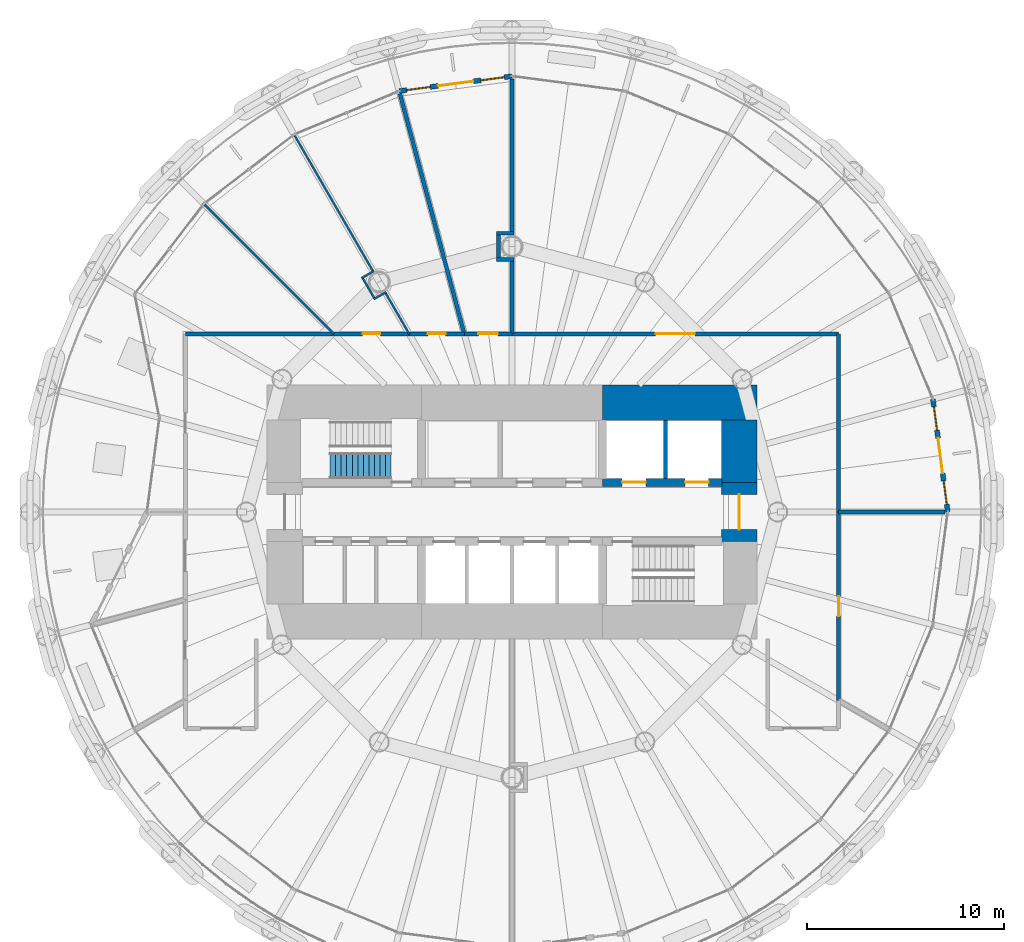
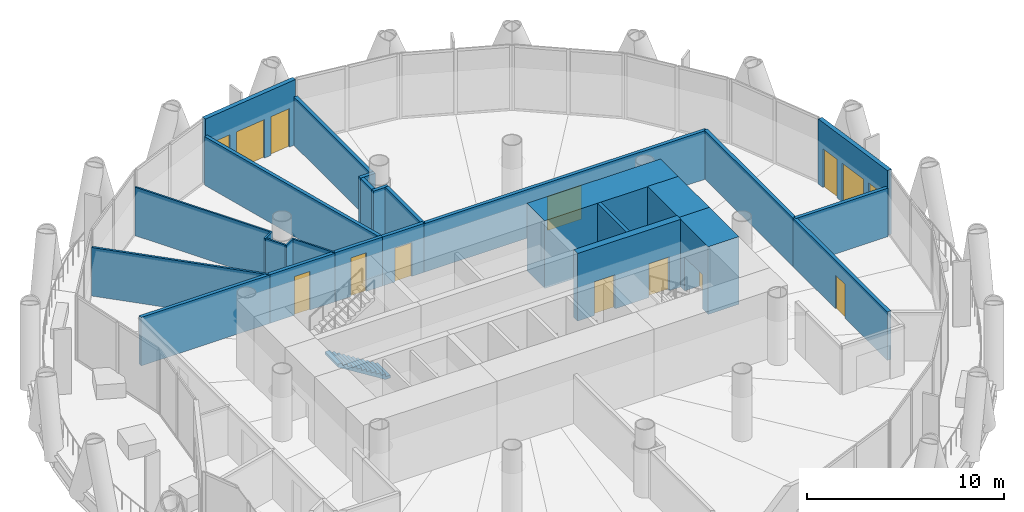
# One storey, part 11 of 16: 27 walls, 10 doors, 4 windows, 1 stair flight, 14 openings, 1 element without a shape of its own.
"""IFC4 building model written with IfcOpenShell, lengths in metres."""

from ifc_helpers import new_model, si_unit, direction, frame, frame_2d, origin, place, context, subcontext, project, spatial, polyline, rectangle, outline, extrude, material, layer, layer_set, type_object, element, fill, aggregate, save


model = new_model("IFC4")

# Units and contexts
model_context = context("Model", 3, precision=1e-05, world=origin(), true_north=direction((0.0, 1.0)))
body_context = subcontext(model_context, "Body", "Model", "MODEL_VIEW")
ifc_project = project(units=[si_unit("LENGTHUNIT", "METRE"), si_unit("AREAUNIT", "SQUARE_METRE"), si_unit("VOLUMEUNIT", "CUBIC_METRE"), si_unit("PLANEANGLEUNIT", "RADIAN"), si_unit("MASSUNIT", "GRAM", prefix="KILO")], contexts=[model_context])

# Site, building, storey
site_placement = place(None, origin())
site = spatial("IfcSite", under=ifc_project, at=site_placement, CompositionType="ELEMENT")
building_placement = place(site_placement, origin())
building = spatial("IfcBuilding", under=site, at=building_placement, Name="Qaws Media Tower", CompositionType="ELEMENT")
storey_placement = place(building_placement, frame((0.0, 0.0, 173.0)))
storey = spatial("IfcBuildingStorey", under=building, at=storey_placement, Name="L39", CompositionType="ELEMENT", Elevation=173.0)

# Wall, openings, door, windows
ifc_material_1 = material(Name="Precast concrete, exposed finish", Category="concrete")
ifc_layer_1 = layer(ifc_material_1, 0.25)
ifc_layer_set_1 = layer_set([ifc_layer_1], Name="Balcony door wall 250")
wall_type_1 = type_object("IfcWallType", Name="Balcony door wall 250", PredefinedType="SOLIDWALL", material=ifc_layer_set_1)
wall_1_placement = place(storey_placement, frame((82.14990234375, 50.0, 0.0), z_axis=(0.0, 0.0, 1.0), x_axis=(-0.130506937291, 0.991447396143, 0.0)))
wall_1 = element("IfcWall", 1, at=wall_1_placement, inside=storey, type_object=wall_type_1, Name="W217 EW1 balcony door wall L39-01", PredefinedType="SOLIDWALL", context=body_context, shape_type="SweptSolid", body=[
    extrude(rectangle(XDim=5.782470703125, YDim=0.25, at=frame_2d((2.89111328125, 0.0))), origin(), (0.0, 0.0, 1.0), 4.0400390625),
])
opening_1_placement = place(wall_1_placement, frame((1.9912109375, 0.0, 0.0)))
opening_1 = element("IfcOpeningElement", 2, at=opening_1_placement, cuts=wall_1, Name="Opening D7", PredefinedType="OPENING", context=body_context, shape_type="SweptSolid", body=[
    extrude(rectangle(XDim=1.800048828125, YDim=2.39990234375, at=frame_2d((0.89990234375, 1.199951171875))), frame((0.0, 0.135009765625, 0.0), z_axis=(0.0, -1.0, 0.0), x_axis=(1.0, 0.0, 0.0)), (0.0, 0.0, 1.0), 0.27001953125),
])
opening_2_placement = place(wall_1_placement, frame((0.39111328125, 0.0, 0.0)))
opening_2 = element("IfcOpeningElement", 3, at=opening_2_placement, cuts=wall_1, Name="Opening W1", PredefinedType="OPENING", context=body_context, shape_type="SweptSolid", body=[
    extrude(rectangle(XDim=1.199951171875, YDim=2.39990234375, at=frame_2d((0.60009765625, 1.199951171875))), frame((0.0, 0.135009765625, 0.0), z_axis=(0.0, -1.0, 0.0), x_axis=(1.0, 0.0, 0.0)), (0.0, 0.0, 1.0), 0.27001953125),
])
opening_3_placement = place(wall_1_placement, frame((4.191162109375, 0.0, 0.0)))
opening_3 = element("IfcOpeningElement", 4, at=opening_3_placement, cuts=wall_1, Name="Opening W1", PredefinedType="OPENING", context=body_context, shape_type="SweptSolid", body=[
    extrude(rectangle(XDim=1.199951171875, YDim=2.39990234375, at=frame_2d((0.60009765625, 1.199951171875))), frame((0.0, 0.135009765625, 0.0), z_axis=(0.0, -1.0, 0.0), x_axis=(1.0, 0.0, 0.0)), (0.0, 0.0, 1.0), 0.27001953125),
])
ifc_material_2 = material(Name="Aluminium and clear glass", Category="aluminium")
door_type_1 = type_object("IfcDoorType", Name="Balcony door pair 1800", OperationType="DOUBLE_DOOR_SLIDING", PredefinedType="DOOR", material=ifc_material_2)
door_1_placement = place(opening_1_placement, origin())
door_1 = element("IfcDoor", 5, at=door_1_placement, inside=storey, type_object=door_type_1, Name="D7 balcony door L39-01 in wall W217", OperationType="DOUBLE_DOOR_SLIDING", OverallHeight=2.39990234375, OverallWidth=1.800048828125, PredefinedType="DOOR", context=body_context, shape_type="SweptSolid", body=[
    extrude(rectangle(XDim=1.800048828125, YDim=2.39990234375, at=frame_2d((0.89990234375, 1.199951171875))), frame((0.0, 0.02490234375, 0.0), z_axis=(0.0, -1.0, 0.0), x_axis=(1.0, 0.0, 0.0)), (0.0, 0.0, 1.0), 0.050048828125),
])
fill(opening_1, door_1)
ifc_material_3 = material(Name="Aluminium and clear glass", Category="aluminium")
window_type = type_object("IfcWindowType", Name="Balcony side window 1200", PartitioningType="SINGLE_PANEL", PredefinedType="WINDOW", material=ifc_material_3)
window_1_placement = place(opening_2_placement, origin())
window_1 = element("IfcWindow", 6, at=window_1_placement, inside=storey, type_object=window_type, Name="W1 balcony side light L39-01L", OverallHeight=2.39990234375, OverallWidth=1.199951171875, PartitioningType="SINGLE_PANEL", PredefinedType="WINDOW", context=body_context, shape_type="SweptSolid", body=[
    extrude(rectangle(XDim=1.199951171875, YDim=2.39990234375, at=frame_2d((0.60009765625, 1.199951171875))), frame((0.0, 0.030029296875, 0.0), z_axis=(0.0, -1.0, 0.0), x_axis=(1.0, 0.0, 0.0)), (0.0, 0.0, 1.0), 0.06005859375),
])
fill(opening_2, window_1)
window_2_placement = place(opening_3_placement, origin())
window_2 = element("IfcWindow", 7, at=window_2_placement, inside=storey, type_object=window_type, Name="W1 balcony side light L39-01R", OverallHeight=2.39990234375, OverallWidth=1.199951171875, PartitioningType="SINGLE_PANEL", PredefinedType="WINDOW", context=body_context, shape_type="SweptSolid", body=[
    extrude(rectangle(XDim=1.199951171875, YDim=2.39990234375, at=frame_2d((0.60009765625, 1.199951171875))), frame((0.0, 0.030029296875, 0.0), z_axis=(0.0, -1.0, 0.0), x_axis=(1.0, 0.0, 0.0)), (0.0, 0.0, 1.0), 0.06005859375),
])
fill(opening_3, window_2)

wall_2_placement = place(storey_placement, frame((60.0, 72.14990234375, 0.0), z_axis=(0.0, 0.0, 1.0), x_axis=(-0.991447396143, -0.130506937291, 0.0)))
wall_2 = element("IfcWall", 8, at=wall_2_placement, inside=storey, type_object=wall_type_1, Name="W216 EW1 balcony door wall L39-07", PredefinedType="SOLIDWALL", context=body_context, shape_type="SweptSolid", body=[
    extrude(rectangle(XDim=5.782470703125, YDim=0.25, at=frame_2d((2.89111328125, 0.0))), origin(), (0.0, 0.0, 1.0), 4.0400390625),
])
opening_4_placement = place(wall_2_placement, frame((1.9912109375, 0.0, 0.0)))
opening_4 = element("IfcOpeningElement", 9, at=opening_4_placement, cuts=wall_2, Name="Opening D7", PredefinedType="OPENING", context=body_context, shape_type="SweptSolid", body=[
    extrude(rectangle(XDim=1.800048828125, YDim=2.39990234375, at=frame_2d((0.89990234375, 1.199951171875))), frame((0.0, 0.135009765625, 0.0), z_axis=(0.0, -1.0, 0.0), x_axis=(1.0, 0.0, 0.0)), (0.0, 0.0, 1.0), 0.27001953125),
])
opening_5_placement = place(wall_2_placement, frame((0.39111328125, 0.0, 0.0)))
opening_5 = element("IfcOpeningElement", 10, at=opening_5_placement, cuts=wall_2, Name="Opening W1", PredefinedType="OPENING", context=body_context, shape_type="SweptSolid", body=[
    extrude(rectangle(XDim=1.199951171875, YDim=2.39990234375, at=frame_2d((0.60009765625, 1.199951171875))), frame((0.0, 0.135009765625, 0.0), z_axis=(0.0, -1.0, 0.0), x_axis=(1.0, 0.0, 0.0)), (0.0, 0.0, 1.0), 0.27001953125),
])
opening_6_placement = place(wall_2_placement, frame((4.191162109375, 0.0, 0.0)))
opening_6 = element("IfcOpeningElement", 11, at=opening_6_placement, cuts=wall_2, Name="Opening W1", PredefinedType="OPENING", context=body_context, shape_type="SweptSolid", body=[
    extrude(rectangle(XDim=1.199951171875, YDim=2.39990234375, at=frame_2d((0.60009765625, 1.199951171875))), frame((0.0, 0.135009765625, 0.0), z_axis=(0.0, -1.0, 0.0), x_axis=(1.0, 0.0, 0.0)), (0.0, 0.0, 1.0), 0.27001953125),
])
door_2_placement = place(opening_4_placement, origin())
door_2 = element("IfcDoor", 12, at=door_2_placement, inside=storey, type_object=door_type_1, Name="D7 balcony door L39-07 in wall W216", OperationType="DOUBLE_DOOR_SLIDING", OverallHeight=2.39990234375, OverallWidth=1.800048828125, PredefinedType="DOOR", context=body_context, shape_type="SweptSolid", body=[
    extrude(rectangle(XDim=1.800048828125, YDim=2.39990234375, at=frame_2d((0.89990234375, 1.199951171875))), frame((0.0, 0.02490234375, 0.0), z_axis=(0.0, -1.0, 0.0), x_axis=(1.0, 0.0, 0.0)), (0.0, 0.0, 1.0), 0.050048828125),
])
fill(opening_4, door_2)
window_3_placement = place(opening_5_placement, origin())
window_3 = element("IfcWindow", 13, at=window_3_placement, inside=storey, type_object=window_type, Name="W1 balcony side light L39-07L", OverallHeight=2.39990234375, OverallWidth=1.199951171875, PartitioningType="SINGLE_PANEL", PredefinedType="WINDOW", context=body_context, shape_type="SweptSolid", body=[
    extrude(rectangle(XDim=1.199951171875, YDim=2.39990234375, at=frame_2d((0.60009765625, 1.199951171875))), frame((0.0, 0.030029296875, 0.0), z_axis=(0.0, -1.0, 0.0), x_axis=(1.0, 0.0, 0.0)), (0.0, 0.0, 1.0), 0.06005859375),
])
fill(opening_5, window_3)
window_4_placement = place(opening_6_placement, origin())
window_4 = element("IfcWindow", 14, at=window_4_placement, inside=storey, type_object=window_type, Name="W1 balcony side light L39-07R", OverallHeight=2.39990234375, OverallWidth=1.199951171875, PartitioningType="SINGLE_PANEL", PredefinedType="WINDOW", context=body_context, shape_type="SweptSolid", body=[
    extrude(rectangle(XDim=1.199951171875, YDim=2.39990234375, at=frame_2d((0.60009765625, 1.199951171875))), frame((0.0, 0.030029296875, 0.0), z_axis=(0.0, -1.0, 0.0), x_axis=(1.0, 0.0, 0.0)), (0.0, 0.0, 1.0), 0.06005859375),
])
fill(opening_6, window_4)

# Wall, openings, doors
ifc_material_4 = material(Name="Concrete C60/75", Category="concrete")
ifc_layer_2 = layer(ifc_material_4, 0.39990234375)
ifc_layer_set_2 = layer_set([ifc_layer_2], Name="Core inner wall 400")
wall_type_2 = type_object("IfcWallType", Name="Core inner wall 400", PredefinedType="SHEAR", material=ifc_layer_set_2)
wall_3_placement = place(storey_placement, frame((64.60009765625, 51.5, 0.0), z_axis=(0.0, 0.0, 1.0), x_axis=(1.0, 0.0, 0.0)))
wall_3 = element("IfcWall", 15, at=wall_3_placement, inside=storey, type_object=wall_type_2, Name="W326 SW4 core wall SPNE L39", PredefinedType="SHEAR", context=body_context, shape_type="SweptSolid", body=[
    extrude(rectangle(XDim=6.06982421875, YDim=0.39990234375, at=frame_2d((3.034912109375, 0.0))), origin(), (0.0, 0.0, 1.0), 4.199951171875),
])
opening_7_placement = place(wall_3_placement, frame((1.0, 0.0, 0.0)))
opening_7 = element("IfcOpeningElement", 16, at=opening_7_placement, cuts=wall_3, Name="Opening LD2", PredefinedType="OPENING", context=body_context, shape_type="SweptSolid", body=[
    extrude(rectangle(XDim=1.199951171875, YDim=2.10009765625, at=frame_2d((0.60009765625, 1.050048828125))), frame((0.0, 0.2099609375, 0.0), z_axis=(0.0, -1.0, 0.0), x_axis=(1.0, 0.0, 0.0)), (0.0, 0.0, 1.0), 0.419921875),
])
opening_8_placement = place(wall_3_placement, frame((4.199951171875, 0.0, 0.0)))
opening_8 = element("IfcOpeningElement", 17, at=opening_8_placement, cuts=wall_3, Name="Opening LD2", PredefinedType="OPENING", context=body_context, shape_type="SweptSolid", body=[
    extrude(rectangle(XDim=1.199951171875, YDim=2.10009765625, at=frame_2d((0.60009765625, 1.050048828125))), frame((0.0, 0.2099609375, 0.0), z_axis=(0.0, -1.0, 0.0), x_axis=(1.0, 0.0, 0.0)), (0.0, 0.0, 1.0), 0.419921875),
])
ifc_material_5 = material(Name="Steel, fire rated", Category="steel")
door_type_2 = type_object("IfcDoorType", Name="Lift landing door 1200", OperationType="SLIDING_TO_LEFT", PredefinedType="DOOR", material=ifc_material_5)
door_3_placement = place(opening_7_placement, origin())
door_3 = element("IfcDoor", 18, at=door_3_placement, inside=storey, type_object=door_type_2, Name="FL1 landing door L39 in wall W326", OperationType="SLIDING_TO_LEFT", OverallHeight=2.10009765625, OverallWidth=1.199951171875, PredefinedType="DOOR", context=body_context, shape_type="SweptSolid", body=[
    extrude(rectangle(XDim=1.199951171875, YDim=2.10009765625, at=frame_2d((0.60009765625, 1.050048828125))), frame((0.0, 0.02490234375, 0.0), z_axis=(0.0, -1.0, 0.0), x_axis=(1.0, 0.0, 0.0)), (0.0, 0.0, 1.0), 0.050048828125),
])
fill(opening_7, door_3)
door_4_placement = place(opening_8_placement, origin())
door_4 = element("IfcDoor", 19, at=door_4_placement, inside=storey, type_object=door_type_2, Name="FL2 landing door L39 in wall W326", OperationType="SLIDING_TO_LEFT", OverallHeight=2.10009765625, OverallWidth=1.199951171875, PredefinedType="DOOR", context=body_context, shape_type="SweptSolid", body=[
    extrude(rectangle(XDim=1.199951171875, YDim=2.10009765625, at=frame_2d((0.60009765625, 1.050048828125))), frame((0.0, 0.02490234375, 0.0), z_axis=(0.0, -1.0, 0.0), x_axis=(1.0, 0.0, 0.0)), (0.0, 0.0, 1.0), 0.050048828125),
])
fill(opening_8, door_4)

# Wall
ifc_material_6 = material(Name="Concrete C60/75", Category="concrete")
ifc_layer_3 = layer(ifc_material_6, 1.800048828125)
ifc_layer_set_3 = layer_set([ifc_layer_3], Name="Core wall 1800")
wall_type_3 = type_object("IfcWallType", Name="Core wall 1800", PredefinedType="SHEAR", material=ifc_layer_set_3)
wall_4_placement = place(storey_placement, frame((64.60009765625, 55.550048828125, 0.0), z_axis=(0.0, 0.0, 1.0), x_axis=(1.0, 0.0, 0.0)))
element("IfcWall", 20, at=wall_4_placement, inside=storey, type_object=wall_type_3, Name="W423 SW11 core wall NE L39", PredefinedType="SHEAR", context=body_context, shape_type="SweptSolid", body=[
    extrude(rectangle(XDim=7.849853515625, YDim=1.800048828125, at=frame_2d((3.9248046875, 0.0))), origin(), (0.0, 0.0, 1.0), 4.199951171875),
])

# Wall, opening, door
wall_5_placement = place(storey_placement, frame((71.550048828125, 48.5, 0.0), z_axis=(0.0, 0.0, 1.0), x_axis=(0.0, 1.0, 0.0)))
wall_5 = element("IfcWall", 21, at=wall_5_placement, inside=storey, type_object=wall_type_3, Name="W427 SW11 core wall E L39", PredefinedType="SHEAR", context=body_context, shape_type="SweptSolid", body=[
    extrude(rectangle(XDim=3.0, YDim=1.800048828125, at=frame_2d((1.5, 0.0))), origin(), (0.0, 0.0, 1.0), 4.199951171875),
])
opening_9_placement = place(wall_5_placement, frame((0.60009765625, 0.0, 0.0)))
opening_9 = element("IfcOpeningElement", 22, at=opening_9_placement, cuts=wall_5, Name="Opening D2", PredefinedType="OPENING", context=body_context, shape_type="SweptSolid", body=[
    extrude(rectangle(XDim=1.800048828125, YDim=2.10009765625, at=frame_2d((0.89990234375, 1.050048828125))), frame((0.0, 0.909912109375, 0.0), z_axis=(0.0, -1.0, 0.0), x_axis=(1.0, 0.0, 0.0)), (0.0, 0.0, 1.0), 1.820068359375),
])
ifc_material_7 = material(Name="Steel and glass, fire rated", Category="steel")
door_type_3 = type_object("IfcDoorType", Name="Lobby door pair 1800 FD60", OperationType="DOUBLE_DOOR_DOUBLE_SWING", PredefinedType="DOOR", material=ifc_material_7)
door_5_placement = place(opening_9_placement, origin())
door_5 = element("IfcDoor", 23, at=door_5_placement, inside=storey, type_object=door_type_3, Name="D2 core lobby door E L39 in wall W427", OperationType="DOUBLE_DOOR_DOUBLE_SWING", OverallHeight=2.10009765625, OverallWidth=1.800048828125, PredefinedType="DOOR", context=body_context, shape_type="SweptSolid", body=[
    extrude(rectangle(XDim=1.800048828125, YDim=2.10009765625, at=frame_2d((0.89990234375, 1.050048828125))), frame((0.0, 0.02490234375, 0.0), z_axis=(0.0, -1.0, 0.0), x_axis=(1.0, 0.0, 0.0)), (0.0, 0.0, 1.0), 0.050048828125),
])
fill(opening_9, door_5)

# Walls
wall_6_placement = place(storey_placement, frame((71.550048828125, 51.5, 0.0), z_axis=(0.0, 0.0, 1.0), x_axis=(0.0, 1.0, 0.0)))
element("IfcWall", 24, at=wall_6_placement, inside=storey, type_object=wall_type_3, Name="W425 SW11 core wall EN L39", PredefinedType="SHEAR", context=body_context, shape_type="SweptSolid", body=[
    extrude(rectangle(XDim=3.169921875, YDim=1.800048828125, at=frame_2d((1.5849609375, 0.0))), origin(), (0.0, 0.0, 1.0), 4.199951171875),
])
ifc_material_8 = material(Name="Two layers gypsum board each side on 75 studs, insulated", Category="gypsum")
ifc_layer_4 = layer(ifc_material_8, 0.125)
ifc_layer_set_4 = layer_set([ifc_layer_4], Name="Meeting room partition 125 Rw 48")
wall_type_4 = type_object("IfcWallType", Name="Meeting room partition 125 Rw 48", PredefinedType="PARTITIONING", material=ifc_layer_set_4)
wall_7_placement = place(storey_placement, frame((50.948974609375, 59.051025390625, 0.0), z_axis=(0.0, 0.0, 1.0), x_axis=(-0.707106781187, 0.707106781187, 0.0)))
element("IfcWall", 25, at=wall_7_placement, inside=storey, type_object=wall_type_4, Name="W585 IW5 partition L39", PredefinedType="PARTITIONING", context=body_context, shape_type="SweptSolid", body=[
    extrude(rectangle(XDim=9.309814453125, YDim=0.125, at=frame_2d((4.65478515625, 0.0))), origin(), (0.0, 0.0, 1.0), 3.011962890625),
])
ifc_material_9 = material(Name="Gypsum board on 70 metal studs, single layer each side", Category="gypsum")
ifc_layer_5 = layer(ifc_material_9, 0.10009765625)
ifc_layer_set_5 = layer_set([ifc_layer_5], Name="Office stud partition 100")
wall_type_5 = type_object("IfcWallType", Name="Office stud partition 100", PredefinedType="PARTITIONING", material=ifc_layer_set_5)
for number, where, z_axis, x_axis, name in (
    (26, (53.602294921875, 61.18115234375, 0.0), (0.0, 0.0, 1.0), (-0.866068339032, -0.499925626596, 0.0), "W686 IW4 partition return L39"),
    (27, (52.984375, 62.25146484375, 0.0), (0.0, 0.0, 1.0), (-0.866068339032, -0.499925626596, 0.0), "W684 IW4 partition return L39"),
):
    element("IfcWall", number, at=place(storey_placement, frame(where, z_axis=z_axis, x_axis=x_axis)), inside=storey, type_object=wall_type_5, Name=name, PredefinedType="PARTITIONING", context=body_context, shape_type="SweptSolid", body=[
        extrude(rectangle(XDim=0.72802734375, YDim=0.10009765625, at=frame_2d((0.364013671875, 0.0))), origin(), (0.0, 0.0, 1.0), 3.011962890625),
    ])
wall_8_placement = place(storey_placement, frame((52.989990234375, 60.885498046875, 0.0), z_axis=(0.0, 0.0, 1.0), x_axis=(-0.499976747263, 0.866038828342, 0.0)))
element("IfcWall", 28, at=wall_8_placement, inside=storey, type_object=wall_type_5, Name="W685 IW4 partition return L39", PredefinedType="PARTITIONING", context=body_context, shape_type="SweptSolid", body=[
    extrude(rectangle(XDim=1.1357421875, YDim=0.10009765625, at=frame_2d((0.56787109375, 0.0))), origin(), (0.0, 0.0, 1.0), 3.011962890625),
])
wall_9_placement = place(storey_placement, frame((54.780029296875, 59.041259765625, 0.0), z_axis=(0.0, 0.0, 1.0), x_axis=(-0.500014005679, 0.866017317451, 0.0)))
element("IfcWall", 29, at=wall_9_placement, inside=storey, type_object=wall_type_5, Name="W674 IW4 partition L39", PredefinedType="PARTITIONING", context=body_context, shape_type="SweptSolid", body=[
    extrude(rectangle(XDim=2.39208984375, YDim=0.10009765625, at=frame_2d((1.196044921875, 0.0))), origin(), (0.0, 0.0, 1.0), 3.0400390625),
])
wall_10_placement = place(storey_placement, frame((52.916015625, 62.269775390625, 0.0), z_axis=(0.0, 0.0, 1.0), x_axis=(-0.499997422768, 0.866026891745, 0.0)))
element("IfcWall", 30, at=wall_10_placement, inside=storey, type_object=wall_type_5, Name="W683 IW4 partition L39", PredefinedType="PARTITIONING", context=body_context, shape_type="SweptSolid", body=[
    extrude(rectangle(XDim=7.94189453125, YDim=0.10009765625, at=frame_2d((3.970947265625, 0.0))), origin(), (0.0, 0.0, 1.0), 3.011962890625),
])
ifc_material_10 = material(Name="Gypsum board on galvanised metal studs, acoustic double stud, deflection head", Category="gypsum")
ifc_layer_6 = layer(ifc_material_10, 0.199951171875)
ifc_layer_set_6 = layer_set([ifc_layer_6], Name="Room partition 200")
wall_type_6 = type_object("IfcWallType", Name="Room partition 200", PredefinedType="PARTITIONING", material=ifc_layer_set_6)
wall_11_placement = place(storey_placement, frame((43.39990234375, 59.050048828125, 0.0), z_axis=(0.0, 0.0, 1.0), x_axis=(1.0, 0.0, 0.0)))
element("IfcWall", 31, at=wall_11_placement, inside=storey, type_object=wall_type_6, Name="W1390 IW3 partition L39", PredefinedType="PARTITIONING", context=body_context, shape_type="SweptSolid", body=[
    extrude(rectangle(XDim=7.550048828125, YDim=0.199951171875, at=frame_2d((3.77490234375, 0.0))), origin(), (0.0, 0.0, 1.0), 3.011962890625),
])

# Wall, opening, door
wall_12_placement = place(storey_placement, frame((50.949951171875, 59.050048828125, 0.0), z_axis=(0.0, 0.0, 1.0), x_axis=(1.0, 0.0, 0.0)))
wall_12 = element("IfcWall", 32, at=wall_12_placement, inside=storey, type_object=wall_type_6, Name="W1281 IW3 partition L39", PredefinedType="PARTITIONING", context=body_context, shape_type="SweptSolid", body=[
    extrude(rectangle(XDim=3.824951171875, YDim=0.199951171875, at=frame_2d((1.91259765625, 0.0))), origin(), (0.0, 0.0, 1.0), 3.02001953125),
])
opening_10_placement = place(wall_12_placement, frame((1.46240234375, 0.0, 0.0)))
opening_10 = element("IfcOpeningElement", 33, at=opening_10_placement, cuts=wall_12, Name="Opening D12", PredefinedType="OPENING", context=body_context, shape_type="SweptSolid", body=[
    extrude(rectangle(XDim=0.89990234375, YDim=2.39990234375, at=frame_2d((0.449951171875, 1.199951171875))), frame((0.0, 0.10986328125, 0.0), z_axis=(0.0, -1.0, 0.0), x_axis=(1.0, 0.0, 0.0)), (0.0, 0.0, 1.0), 0.219970703125),
])
ifc_material_11 = material(Name="Timber veneered, full height", Category="wood")
door_type_4 = type_object("IfcDoorType", Name="Office door 900x2400", OperationType="SINGLE_SWING_LEFT", PredefinedType="DOOR", material=ifc_material_11)
door_6_placement = place(opening_10_placement, origin())
door_6 = element("IfcDoor", 34, at=door_6_placement, inside=storey, type_object=door_type_4, Name="D12 Office door L39 in wall W1281", OperationType="SINGLE_SWING_LEFT", OverallHeight=2.39990234375, OverallWidth=0.89990234375, PredefinedType="DOOR", context=body_context, shape_type="SweptSolid", body=[
    extrude(rectangle(XDim=0.89990234375, YDim=2.39990234375, at=frame_2d((0.449951171875, 1.199951171875))), frame((0.0, 0.02490234375, 0.0), z_axis=(0.0, -1.0, 0.0), x_axis=(1.0, 0.0, 0.0)), (0.0, 0.0, 1.0), 0.050048828125),
])
fill(opening_10, door_6)

wall_13_placement = place(storey_placement, frame((54.77490234375, 59.050048828125, 0.0), z_axis=(0.0, 0.0, 1.0), x_axis=(1.0, 0.0, 0.0)))
wall_13 = element("IfcWall", 35, at=wall_13_placement, inside=storey, type_object=wall_type_6, Name="W1282 IW3 partition L39", PredefinedType="PARTITIONING", context=body_context, shape_type="SweptSolid", body=[
    extrude(rectangle(XDim=2.80029296875, YDim=0.199951171875, at=frame_2d((1.400146484375, 0.0))), origin(), (0.0, 0.0, 1.0), 3.0400390625),
])
opening_11_placement = place(wall_13_placement, frame((0.949951171875, 0.0, 0.0)))
opening_11 = element("IfcOpeningElement", 36, at=opening_11_placement, cuts=wall_13, Name="Opening D12", PredefinedType="OPENING", context=body_context, shape_type="SweptSolid", body=[
    extrude(rectangle(XDim=0.89990234375, YDim=2.39990234375, at=frame_2d((0.449951171875, 1.199951171875))), frame((0.0, 0.10986328125, 0.0), z_axis=(0.0, -1.0, 0.0), x_axis=(1.0, 0.0, 0.0)), (0.0, 0.0, 1.0), 0.219970703125),
])
door_7_placement = place(opening_11_placement, origin())
door_7 = element("IfcDoor", 37, at=door_7_placement, inside=storey, type_object=door_type_4, Name="D12 Office door L39 in wall W1282", OperationType="SINGLE_SWING_LEFT", OverallHeight=2.39990234375, OverallWidth=0.89990234375, PredefinedType="DOOR", context=body_context, shape_type="SweptSolid", body=[
    extrude(rectangle(XDim=0.89990234375, YDim=2.39990234375, at=frame_2d((0.449951171875, 1.199951171875))), frame((0.0, 0.02490234375, 0.0), z_axis=(0.0, -1.0, 0.0), x_axis=(1.0, 0.0, 0.0)), (0.0, 0.0, 1.0), 0.050048828125),
])
fill(opening_11, door_7)

wall_14_placement = place(storey_placement, frame((57.5751953125, 59.050048828125, 0.0), z_axis=(0.0, 0.0, 1.0), x_axis=(1.0, 0.0, 0.0)))
wall_14 = element("IfcWall", 38, at=wall_14_placement, inside=storey, type_object=wall_type_6, Name="W1283 IW3 partition L39", PredefinedType="PARTITIONING", context=body_context, shape_type="SweptSolid", body=[
    extrude(rectangle(XDim=2.4248046875, YDim=0.199951171875, at=frame_2d((1.21240234375, 0.0))), origin(), (0.0, 0.0, 1.0), 3.0400390625),
])
opening_12_placement = place(wall_14_placement, frame((0.71240234375, 0.0, 0.0)))
opening_12 = element("IfcOpeningElement", 39, at=opening_12_placement, cuts=wall_14, Name="Opening D5", PredefinedType="OPENING", context=body_context, shape_type="SweptSolid", body=[
    extrude(rectangle(XDim=1.0, YDim=2.10009765625, at=frame_2d((0.5, 1.050048828125))), frame((0.0, 0.10986328125, 0.0), z_axis=(0.0, -1.0, 0.0), x_axis=(1.0, 0.0, 0.0)), (0.0, 0.0, 1.0), 0.219970703125),
])
ifc_material_12 = material(Name="Timber veneered, acoustic seal", Category="wood")
door_type_5 = type_object("IfcDoorType", Name="Room door 1000", OperationType="SINGLE_SWING_LEFT", PredefinedType="DOOR", material=ifc_material_12)
door_8_placement = place(opening_12_placement, origin())
door_8 = element("IfcDoor", 40, at=door_8_placement, inside=storey, type_object=door_type_5, Name="D5 Strategy reception door L39 in wall W1283", OperationType="SINGLE_SWING_LEFT", OverallHeight=2.10009765625, OverallWidth=1.0, PredefinedType="DOOR", context=body_context, shape_type="SweptSolid", body=[
    extrude(rectangle(XDim=1.0, YDim=2.10009765625, at=frame_2d((0.5, 1.050048828125))), frame((0.0, 0.02490234375, 0.0), z_axis=(0.0, -1.0, 0.0), x_axis=(1.0, 0.0, 0.0)), (0.0, 0.0, 1.0), 0.050048828125),
])
fill(opening_12, door_8)

wall_15_placement = place(storey_placement, frame((60.0, 59.050048828125, 0.0), z_axis=(0.0, 0.0, 1.0), x_axis=(1.0, 0.0, 0.0)))
wall_15 = element("IfcWall", 41, at=wall_15_placement, inside=storey, type_object=wall_type_6, Name="W1397 IW3 partition L39", PredefinedType="PARTITIONING", context=body_context, shape_type="SweptSolid", body=[
    extrude(rectangle(XDim=16.60009765625, YDim=0.199951171875, at=frame_2d((8.300048828125, 0.0))), origin(), (0.0, 0.0, 1.0), 3.011962890625),
])
opening_13_placement = place(wall_15_placement, frame((7.300048828125, 0.0, 0.0)))
opening_13 = element("IfcOpeningElement", 42, at=opening_13_placement, cuts=wall_15, Name="Opening D6", PredefinedType="OPENING", context=body_context, shape_type="SweptSolid", body=[
    extrude(rectangle(XDim=2.0, YDim=2.10009765625, at=frame_2d((1.0, 1.050048828125))), frame((0.0, 0.10986328125, 0.0), z_axis=(0.0, -1.0, 0.0), x_axis=(1.0, 0.0, 0.0)), (0.0, 0.0, 1.0), 0.219970703125),
])
ifc_material_13 = material(Name="Steel, acoustic, fire rated", Category="steel")
door_type_6 = type_object("IfcDoorType", Name="Room door pair 2000", OperationType="DOUBLE_DOOR_DOUBLE_SWING", PredefinedType="DOOR", material=ifc_material_13)
door_9_placement = place(opening_13_placement, origin())
door_9 = element("IfcDoor", 43, at=door_9_placement, inside=storey, type_object=door_type_6, Name="D6 Strategy office door L39 in wall W1397", OperationType="DOUBLE_DOOR_DOUBLE_SWING", OverallHeight=2.10009765625, OverallWidth=2.0, PredefinedType="DOOR", context=body_context, shape_type="SweptSolid", body=[
    extrude(rectangle(XDim=2.0, YDim=2.10009765625, at=frame_2d((1.0, 1.050048828125))), frame((0.0, 0.02490234375, 0.0), z_axis=(0.0, -1.0, 0.0), x_axis=(1.0, 0.0, 0.0)), (0.0, 0.0, 1.0), 0.050048828125),
])
fill(opening_13, door_9)

# Wall
wall_16_placement = place(storey_placement, frame((76.60009765625, 59.050048828125, 0.0), z_axis=(0.0, 0.0, 1.0), x_axis=(0.0, -1.0, 0.0)))
element("IfcWall", 44, at=wall_16_placement, inside=storey, type_object=wall_type_6, Name="W1403 IW3 partition L39", PredefinedType="PARTITIONING", context=body_context, shape_type="SweptSolid", body=[
    extrude(rectangle(XDim=9.050048828125, YDim=0.199951171875, at=frame_2d((4.52490234375, 0.0))), origin(), (0.0, 0.0, 1.0), 3.011962890625),
])

# Wall, opening, door
wall_17_placement = place(storey_placement, frame((76.60009765625, 50.0, 0.0), z_axis=(0.0, 0.0, 1.0), x_axis=(0.0, -1.0, 0.0)))
wall_17 = element("IfcWall", 45, at=wall_17_placement, inside=storey, type_object=wall_type_6, Name="W1401 IW3 partition L39", PredefinedType="PARTITIONING", context=body_context, shape_type="SweptSolid", body=[
    extrude(rectangle(XDim=9.583984375, YDim=0.199951171875, at=frame_2d((4.7919921875, 0.0))), origin(), (0.0, 0.0, 1.0), 3.011962890625),
])
opening_14_placement = place(wall_17_placement, frame((4.2919921875, 0.0, 0.0)))
opening_14 = element("IfcOpeningElement", 46, at=opening_14_placement, cuts=wall_17, Name="Opening D5", PredefinedType="OPENING", context=body_context, shape_type="SweptSolid", body=[
    extrude(rectangle(XDim=1.0, YDim=2.10009765625, at=frame_2d((0.5, 1.050048828125))), frame((0.0, 0.10986328125, 0.0), z_axis=(0.0, -1.0, 0.0), x_axis=(1.0, 0.0, 0.0)), (0.0, 0.0, 1.0), 0.219970703125),
])
door_10_placement = place(opening_14_placement, origin())
door_10 = element("IfcDoor", 47, at=door_10_placement, inside=storey, type_object=door_type_5, Name="D5 Communications office door L39 in wall W1401", OperationType="SINGLE_SWING_LEFT", OverallHeight=2.10009765625, OverallWidth=1.0, PredefinedType="DOOR", context=body_context, shape_type="SweptSolid", body=[
    extrude(rectangle(XDim=1.0, YDim=2.10009765625, at=frame_2d((0.5, 1.050048828125))), frame((0.0, 0.02490234375, 0.0), z_axis=(0.0, -1.0, 0.0), x_axis=(1.0, 0.0, 0.0)), (0.0, 0.0, 1.0), 0.050048828125),
])
fill(opening_14, door_10)

# Walls
wall_18_placement = place(storey_placement, frame((76.60009765625, 50.0, 0.0), z_axis=(0.0, 0.0, 1.0), x_axis=(1.0, 0.0, 0.0)))
element("IfcWall", 48, at=wall_18_placement, inside=storey, type_object=wall_type_6, Name="W1402 IW3 partition L39", PredefinedType="PARTITIONING", context=body_context, shape_type="SweptSolid", body=[
    extrude(rectangle(XDim=5.409912109375, YDim=0.199951171875, at=frame_2d((2.705078125, 0.0))), origin(), (0.0, 0.0, 1.0), 3.011962890625),
])
for number, where, z_axis, x_axis, name in (
    (49, (60.10009765625, 62.83203125, 0.0), (0.0, 0.0, 1.0), (-1.0, 0.0, 0.0), "W1348 IW3 partition return L39"),
    (50, (60.10009765625, 64.16796875, 0.0), (0.0, 0.0, 1.0), (-1.0, 0.0, 0.0), "W1349 IW3 partition return L39"),
):
    element("IfcWall", number, at=place(storey_placement, frame(where, z_axis=z_axis, x_axis=x_axis)), inside=storey, type_object=wall_type_6, Name=name, PredefinedType="PARTITIONING", context=body_context, shape_type="SweptSolid", body=[
        extrude(rectangle(XDim=0.878173828125, YDim=0.199951171875, at=frame_2d((0.43896484375, 0.0))), origin(), (0.0, 0.0, 1.0), 3.011962890625),
    ])
wall_19_placement = place(storey_placement, frame((59.322021484375, 62.931884765625, 0.0), z_axis=(0.0, 0.0, 1.0), x_axis=(0.0, 1.0, 0.0)))
element("IfcWall", 51, at=wall_19_placement, inside=storey, type_object=wall_type_6, Name="W1343 IW3 partition return L39", PredefinedType="PARTITIONING", context=body_context, shape_type="SweptSolid", body=[
    extrude(rectangle(XDim=1.13623046875, YDim=0.199951171875, at=frame_2d((0.568115234375, 0.0))), origin(), (0.0, 0.0, 1.0), 3.011962890625),
])
wall_20_placement = place(storey_placement, frame((60.0, 59.0400390625, 0.0), z_axis=(0.0, 0.0, 1.0), x_axis=(0.0, 1.0, 0.0)))
element("IfcWall", 52, at=wall_20_placement, inside=storey, type_object=wall_type_6, Name="W1396 IW3 partition L39", PredefinedType="PARTITIONING", context=body_context, shape_type="SweptSolid", body=[
    extrude(rectangle(XDim=3.69189453125, YDim=0.199951171875, at=frame_2d((1.845947265625, 0.0))), origin(), (0.0, 0.0, 1.0), 3.0400390625),
])
wall_21_placement = place(storey_placement, frame((60.0, 64.26806640625, 0.0), z_axis=(0.0, 0.0, 1.0), x_axis=(0.0, 1.0, 0.0)))
element("IfcWall", 53, at=wall_21_placement, inside=storey, type_object=wall_type_6, Name="W1398 IW3 partition L39", PredefinedType="PARTITIONING", context=body_context, shape_type="SweptSolid", body=[
    extrude(rectangle(XDim=7.741943359375, YDim=0.199951171875, at=frame_2d((3.87109375, 0.0))), origin(), (0.0, 0.0, 1.0), 3.011962890625),
])
wall_22_placement = place(storey_placement, frame((57.577392578125, 59.041015625, 0.0), z_axis=(0.0, 0.0, 1.0), x_axis=(-0.258808436689, 0.965928668743, 0.0)))
element("IfcWall", 54, at=wall_22_placement, inside=storey, type_object=wall_type_6, Name="W1393 IW3 partition L39", PredefinedType="PARTITIONING", context=body_context, shape_type="SweptSolid", body=[
    extrude(rectangle(XDim=12.64990234375, YDim=0.199951171875, at=frame_2d((6.324951171875, 0.0))), origin(), (0.0, 0.0, 1.0), 3.011962890625),
])
ifc_material_14 = material(Name="Fire-rated gypsum board shaft wall on galvanised metal studs, deflection head", Category="gypsum")
ifc_layer_7 = layer(ifc_material_14, 0.199951171875)
ifc_layer_set_7 = layer_set([ifc_layer_7], Name="Shaft wall 200")
wall_type_7 = type_object("IfcWallType", Name="Shaft wall 200", PredefinedType="PARTITIONING", material=ifc_layer_set_7)
wall_23_placement = place(storey_placement, frame((67.800048828125, 51.699951171875, 0.0), z_axis=(0.0, 0.0, 1.0), x_axis=(0.0, 1.0, 0.0)))
element("IfcWall", 55, at=wall_23_placement, inside=storey, type_object=wall_type_7, Name="W1863 IW1 shaft wall FL L39", PredefinedType="PARTITIONING", context=body_context, shape_type="SweptSolid", body=[
    extrude(rectangle(XDim=2.949951171875, YDim=0.199951171875, at=frame_2d((1.47509765625, 0.0))), origin(), (0.0, 0.0, 1.0), 4.199951171875),
])

# Stair, stair flight
ifc_material_15 = material(Name="Concrete C40/50", Category="concrete")
stair_type = type_object("IfcStairType", Name="Exit stair", PredefinedType="HALF_TURN_STAIR", material=ifc_material_15)
stair_placement = place(storey_placement, origin())
stair = element("IfcStair", 56, at=stair_placement, inside=storey, type_object=stair_type, Name="S1 exit stair L39", PredefinedType="HALF_TURN_STAIR")
ifc_material_16 = material(Name="Concrete C40/50", Category="concrete")
stair_flight_type = type_object("IfcStairFlightType", Name="Stair flight 1310", PredefinedType="STRAIGHT", material=ifc_material_16)
stair_flight_placement = place(storey_placement, frame((53.840087890625, 52.35498046875, 0.0), z_axis=(0.0, 0.0, 1.0), x_axis=(-1.0, 0.0, 0.0)))
stair_flight = element("IfcStairFlight", 57, at=stair_flight_placement, type_object=stair_flight_type, Name="S1 flight 1", NumberOfRisers=12, NumberOfTreads=11, PredefinedType="STRAIGHT", RiserHeight=0.175, TreadLength=0.28, context=body_context, shape_type="SweptSolid", body=[
    extrude(outline(polyline([(0.0, 0.0), (0.0, 0.175048828125), (0.280029296875, 0.175048828125), (0.280029296875, 0.35009765625), (0.56005859375, 0.35009765625), (0.56005859375, 0.52490234375), (0.840087890625, 0.52490234375), (0.840087890625, 0.699951171875), (1.1201171875, 0.699951171875), (1.1201171875, 0.875), (1.39990234375, 0.875), (1.39990234375, 1.050048828125), (1.679931640625, 1.050048828125), (1.679931640625, 1.22509765625), (1.9599609375, 1.22509765625), (1.9599609375, 1.39990234375), (2.239990234375, 1.39990234375), (2.239990234375, 1.574951171875), (2.52001953125, 1.574951171875), (2.52001953125, 1.75), (2.800048828125, 1.75), (2.800048828125, 1.925048828125), (3.080078125, 1.925048828125), (3.080078125, 2.10009765625), (3.080078125, 1.748291015625), (0.28271484375, 0.0), (0.0, 0.0)])), frame((0.0, 0.655029296875, 0.0), z_axis=(0.0, -1.0, 0.0), x_axis=(1.0, 0.0, 0.0)), (0.0, 0.0, 1.0), 1.31005859375),
])
aggregate(stair, [stair_flight])

save(model, "model.ifc")
